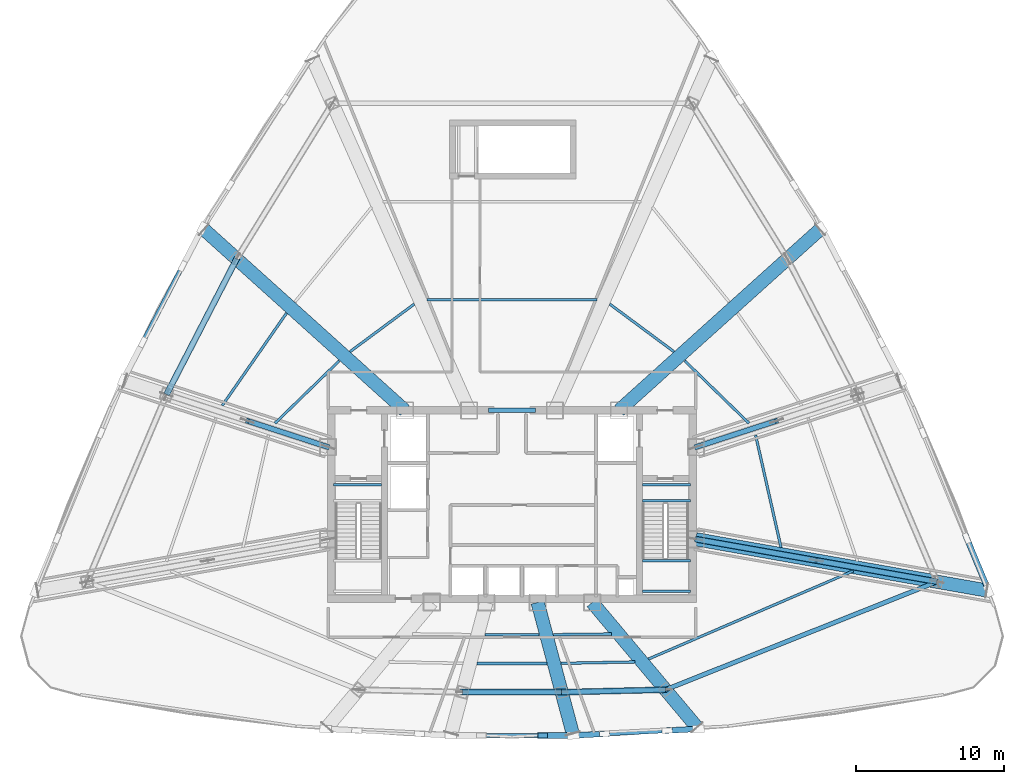
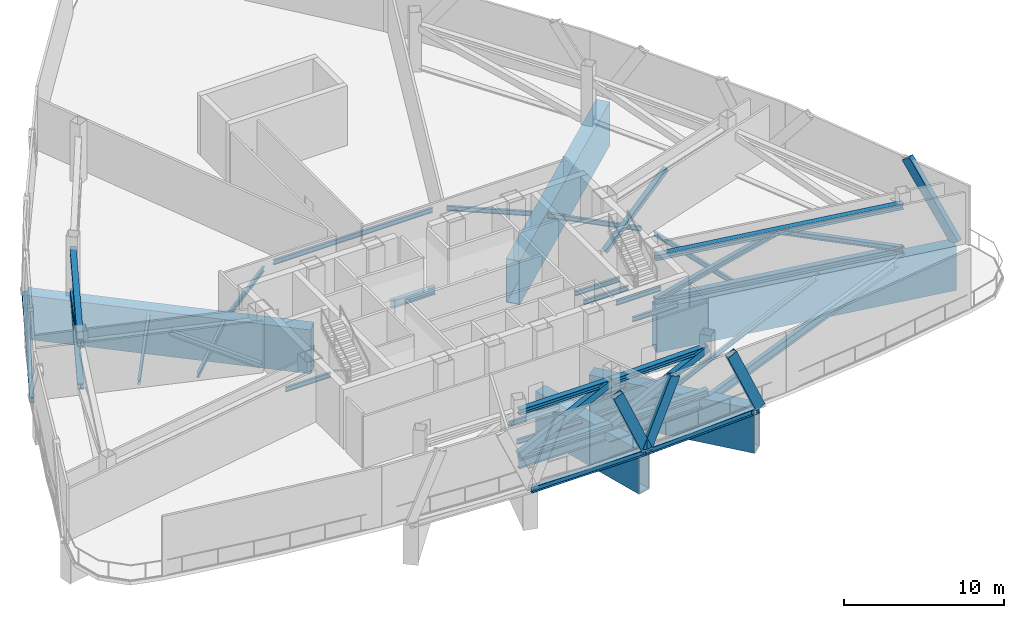
# One storey, part 2 of 13: 29 beams, 19 members.
"""IFC4 building model written with IfcOpenShell, lengths in metres."""

from ifc_helpers import new_model, si_unit, direction, frame, origin, origin_2d, place, context, subcontext, project, spatial, hollow_rectangle, i_section, extrude, source, transform, mapped, material, material_profile, profile_set, type_object, element, save


model = new_model("IFC4")

# Units and contexts
model_context = context("Model", 3, precision=1e-05, world=origin(), true_north=direction((0.0, 1.0)))
body_context = subcontext(model_context, "Body", "Model", "MODEL_VIEW")
ifc_project = project(units=[si_unit("LENGTHUNIT", "METRE"), si_unit("AREAUNIT", "SQUARE_METRE"), si_unit("VOLUMEUNIT", "CUBIC_METRE"), si_unit("PLANEANGLEUNIT", "RADIAN"), si_unit("MASSUNIT", "GRAM", prefix="KILO"), si_unit("THERMODYNAMICTEMPERATUREUNIT", "KELVIN"), si_unit("POWERUNIT", "WATT")], contexts=[model_context])

# Site, building, storey
site_placement = place(None, origin())
site = spatial("IfcSite", under=ifc_project, at=site_placement, CompositionType="ELEMENT")
building_placement = place(site_placement, origin())
building = spatial("IfcBuilding", under=site, at=building_placement, Name="Yunzhuo Pagoda Commons", CompositionType="ELEMENT")
storey_placement = place(building_placement, frame((0.0, 0.0, 272.760009765625)))
storey = spatial("IfcBuildingStorey", under=building, at=storey_placement, Name="L68", CompositionType="ELEMENT", Elevation=272.760009765625)

# Beams
ifc_material_1 = material(Name="Structural steel Q355B", Category="steel")
ifc_material_profile_1 = material_profile(ifc_material_1, i_section(OverallWidth=0.175048828125, OverallDepth=0.35009765625, WebThickness=0.007080078125, FlangeThickness=0.010986328125, at=origin_2d()), Name="Structural steel Q355B")
ifc_profile_set_1 = profile_set([ifc_material_profile_1], Name="Structural steel Q355B")
beam_type_1 = type_object("IfcBeamType", Name="B-JS2 Joist HN 350x175x7x11", PredefinedType="JOIST", material=ifc_profile_set_1)
shared_shape_1 = source(origin(), body_context, "Body", "SweptSolid", [
    extrude(i_section(OverallWidth=0.175048828125, OverallDepth=0.35009765625, WebThickness=0.007080078125, FlangeThickness=0.010986328125, at=origin_2d()), origin(), (0.0, 0.0, 1.0), 3.25),
])
for number, where, z_axis, x_axis, name in (
    (1, (35.949951171875, 35.199951171875, -0.375), (1.0, 0.0, 0.0), (0.0, 1.0, 0.0), "L68 ST1 landing support beam 172B"),
    (2, (56.800048828125, 28.0, 2.02490234375), (1.0, 0.0, 0.0), (0.0, 1.0, 0.0), "L68 ST2 landing support beam 74A"),
    (3, (56.800048828125, 30.06005859375, 2.02490234375), (1.0, 0.0, 0.0), (0.0, 1.0, 0.0), "L68 ST2 landing support beam 74B"),
    (4, (56.800048828125, 34.10009765625, -0.375), (1.0, 0.0, 0.0), (0.0, 1.0, 0.0), "L68 ST2 landing support beam 172A"),
    (5, (56.800048828125, 35.199951171875, -0.375), (1.0, 0.0, 0.0), (0.0, 1.0, 0.0), "L68 ST2 landing support beam 172B"),
):
    element("IfcBeam", number, at=place(storey_placement, frame(where, z_axis=z_axis, x_axis=x_axis)), inside=storey, type_object=beam_type_1, Name=name, PredefinedType="JOIST", context=body_context, shape_type="MappedRepresentation", body=[
        mapped(shared_shape_1, transform((0.0, 0.0, 0.0), scale=1.0)),
    ])
ifc_material_2 = material(Name="Structural steel Q420B", Category="steel")
ifc_material_profile_2 = material_profile(ifc_material_2, i_section(OverallWidth=0.300048828125, OverallDepth=0.587890625, WebThickness=0.011962890625, FlangeThickness=0.02001953125, at=origin_2d()), Name="Structural steel Q420B")
ifc_profile_set_2 = profile_set([ifc_material_profile_2], Name="Structural steel Q420B")
beam_type_2 = type_object("IfcBeamType", Name="B-CPL Beam HM 588x300x12x20", PredefinedType="BEAM", material=ifc_profile_set_2)
shared_shape_2 = source(origin(), body_context, "Body", "SweptSolid", [
    extrude(i_section(OverallWidth=0.300048828125, OverallDepth=0.587890625, WebThickness=0.011962890625, FlangeThickness=0.02001953125, at=origin_2d()), origin(), (0.0, 0.0, 1.0), 3.2001953125),
])
beam_1_placement = place(storey_placement, frame((46.39990234375, 40.199951171875, -0.573974609375), z_axis=(1.0, 0.0, 0.0), x_axis=(0.0, 1.0, 0.0)))
element("IfcBeam", 6, at=beam_1_placement, inside=storey, type_object=beam_type_2, Name="L68 core coupling girder", PredefinedType="BEAM", context=body_context, shape_type="MappedRepresentation", body=[
    mapped(shared_shape_2, transform((0.0, 0.0, 0.0), scale=1.0)),
])
ifc_material_profile_3 = material_profile(ifc_material_2, hollow_rectangle(XDim=0.89990234375, YDim=3.35009765625, WallThickness=0.048095703125, at=origin_2d()), Name="Structural steel Q420B")
ifc_profile_set_3 = profile_set([ifc_material_profile_3], Name="Structural steel Q420B")
beam_type_3 = type_object("IfcBeamType", Name="BTR-2 Beam BOX 3350x900x48", PredefinedType="BEAM", material=ifc_profile_set_3)
shared_shape_3 = source(origin(), body_context, "Body", "SweptSolid", [
    extrude(hollow_rectangle(XDim=0.89990234375, YDim=3.35009765625, WallThickness=0.048095703125, at=origin_2d()), origin(), (0.0, 0.0, 1.0), 10.978515625),
])
beam_2_placement = place(storey_placement, frame((60.468994140625, 18.840087890625, -1.955078125), z_axis=(-0.642794591419, 0.766038584695, 0.0), x_axis=(-0.766038584695, -0.642794591419, 0.0)))
element("IfcBeam", 7, at=beam_2_placement, inside=storey, type_object=beam_type_3, Name="BTR-2 L68 collinear transfer girder F1C4", PredefinedType="BEAM", context=body_context, shape_type="MappedRepresentation", body=[
    mapped(shared_shape_3, transform((0.0, 0.0, 0.0), scale=1.0)),
])
shared_shape_4 = source(origin(), body_context, "Body", "SweptSolid", [
    extrude(hollow_rectangle(XDim=0.89990234375, YDim=3.35009765625, WallThickness=0.048095703125, at=origin_2d()), origin(), (0.0, 0.0, 1.0), 9.136474609375),
])
beam_3_placement = place(storey_placement, frame((52.093017578125, 18.4248046875, -1.955078125), z_axis=(-0.258798416467, 0.965931353479, 0.0), x_axis=(-0.965931353479, -0.258798416467, 0.0)))
element("IfcBeam", 8, at=beam_3_placement, inside=storey, type_object=beam_type_3, Name="BTR-2 L68 collinear transfer girder F1C3", PredefinedType="BEAM", context=body_context, shape_type="MappedRepresentation", body=[
    mapped(shared_shape_4, transform((0.0, 0.0, 0.0), scale=1.0)),
])
shared_shape_5 = source(origin(), body_context, "Body", "SweptSolid", [
    extrude(hollow_rectangle(XDim=0.89990234375, YDim=3.35009765625, WallThickness=0.048095703125, at=origin_2d()), origin(), (0.0, 0.0, 1.0), 19.89990234375),
])
beam_4_placement = place(storey_placement, frame((79.99755859375, 28.058349609375, -1.955078125), z_axis=(-0.984812199238, 0.173622959981, 0.0), x_axis=(-0.173622959981, -0.984812199238, 0.0)))
element("IfcBeam", 9, at=beam_4_placement, inside=storey, type_object=beam_type_3, Name="BTR-2 L68 collinear transfer girder F2C1", PredefinedType="BEAM", context=body_context, shape_type="MappedRepresentation", body=[
    mapped(shared_shape_5, transform((0.0, 0.0, 0.0), scale=1.0)),
])
shared_shape_6 = source(origin(), body_context, "Body", "SweptSolid", [
    extrude(hollow_rectangle(XDim=0.89990234375, YDim=3.35009765625, WallThickness=0.048095703125, at=origin_2d()), origin(), (0.0, 0.0, 1.0), 18.2314453125),
])
for number, where, z_axis, x_axis, name in (
    (10, (68.767578125, 52.399169921875, -1.955078125), (-0.743144309, -0.669131179964, 0.0), (0.669131179964, -0.743144309, 0.0), "BTR-2 L68 collinear transfer girder F2C3"),
    (11, (27.232421875, 52.399169921875, -1.955078125), (0.743144309, -0.669131179964, 0.0), (0.669131179964, 0.743144309, 0.0), "BTR-2 L68 collinear transfer girder F3C2"),
):
    element("IfcBeam", number, at=place(storey_placement, frame(where, z_axis=z_axis, x_axis=x_axis)), inside=storey, type_object=beam_type_3, Name=name, PredefinedType="BEAM", context=body_context, shape_type="MappedRepresentation", body=[
        mapped(shared_shape_6, transform((0.0, 0.0, 0.0), scale=1.0)),
    ])
ifc_material_profile_4 = material_profile(ifc_material_1, i_section(OverallWidth=0.300048828125, OverallDepth=0.43994140625, WebThickness=0.010986328125, FlangeThickness=0.01806640625, at=origin_2d()), Name="Structural steel Q355B")
ifc_profile_set_4 = profile_set([ifc_material_profile_4], Name="Structural steel Q355B")
beam_type_4 = type_object("IfcBeamType", Name="B-SP2 Beam HM 440x300x11x18", PredefinedType="BEAM", material=ifc_profile_set_4)
shared_shape_7 = source(origin(), body_context, "Body", "SweptSolid", [
    extrude(i_section(OverallWidth=0.300048828125, OverallDepth=0.43994140625, WebThickness=0.010986328125, FlangeThickness=0.01806640625, at=origin_2d()), origin(), (0.0, 0.0, 1.0), 8.26611328125),
])
beam_5_placement = place(storey_placement, frame((43.866943359375, 18.275390625, -0.5), z_axis=(1.0, 0.0, 0.0), x_axis=(0.0, 1.0, 0.0)))
element("IfcBeam", 12, at=beam_5_placement, inside=storey, type_object=beam_type_4, Name="L68 facade edge spandrel beam F1.2", PredefinedType="BEAM", context=body_context, shape_type="MappedRepresentation", body=[
    mapped(shared_shape_7, transform((0.0, 0.0, 0.0), scale=1.0)),
])
shared_shape_8 = source(origin(), body_context, "Body", "SweptSolid", [
    extrude(i_section(OverallWidth=0.300048828125, OverallDepth=0.43994140625, WebThickness=0.010986328125, FlangeThickness=0.01806640625, at=origin_2d()), origin(), (0.0, 0.0, 1.0), 8.447509765625),
])
beam_6_placement = place(storey_placement, frame((52.133056640625, 18.275390625, -0.5), z_axis=(0.998606549518, 0.052772713206, 0.0), x_axis=(-0.052772713206, 0.998606549518, 0.0)))
element("IfcBeam", 13, at=beam_6_placement, inside=storey, type_object=beam_type_4, Name="L68 facade edge spandrel beam F1.3", PredefinedType="BEAM", context=body_context, shape_type="MappedRepresentation", body=[
    mapped(shared_shape_8, transform((0.0, 0.0, 0.0), scale=1.0)),
])
shared_shape_9 = source(origin(), body_context, "Body", "SweptSolid", [
    extrude(i_section(OverallWidth=0.300048828125, OverallDepth=0.43994140625, WebThickness=0.010986328125, FlangeThickness=0.01806640625, at=origin_2d()), origin(), (0.0, 0.0, 1.0), 11.591064453125),
])
beam_7_placement = place(storey_placement, frame((27.117431640625, 52.5029296875, -0.5), z_axis=(-0.462915805382, -0.886402254695, 0.0), x_axis=(0.886402254695, -0.462915805382, 0.0)))
element("IfcBeam", 14, at=beam_7_placement, inside=storey, type_object=beam_type_4, Name="L68 facade edge spandrel beam F3.2", PredefinedType="BEAM", context=body_context, shape_type="MappedRepresentation", body=[
    mapped(shared_shape_9, transform((0.0, 0.0, 0.0), scale=1.0)),
])
shared_shape_10 = source(origin(), body_context, "Body", "SweptSolid", [
    extrude(i_section(OverallWidth=0.175048828125, OverallDepth=0.35009765625, WebThickness=0.007080078125, FlangeThickness=0.010986328125, at=origin_2d()), origin(), (0.0, 0.0, 1.0), 3.925048828125),
])
beam_8_placement = place(storey_placement, frame((50.789306640625, 25.076171875, -0.455078125), z_axis=(0.999924924618, 0.012253372117, 0.0), x_axis=(-0.012253372117, 0.999924924618, 0.0)))
element("IfcBeam", 15, at=beam_8_placement, inside=storey, type_object=beam_type_1, Name="L68 composite ring joist 1.3", PredefinedType="JOIST", context=body_context, shape_type="MappedRepresentation", body=[
    mapped(shared_shape_10, transform((0.0, 0.0, 0.0), scale=1.0)),
])
shared_shape_11 = source(origin(), body_context, "Body", "SweptSolid", [
    extrude(i_section(OverallWidth=0.175048828125, OverallDepth=0.35009765625, WebThickness=0.007080078125, FlangeThickness=0.010986328125, at=origin_2d()), origin(), (0.0, 0.0, 1.0), 4.98779296875),
])
beam_9_placement = place(storey_placement, frame((51.308349609375, 23.14208984375, -0.455078125), z_axis=(0.999819636235, 0.018991971941, 0.0), x_axis=(-0.018991971941, 0.999819636235, 0.0)))
element("IfcBeam", 16, at=beam_9_placement, inside=storey, type_object=beam_type_1, Name="L68 composite ring joist 2.3", PredefinedType="JOIST", context=body_context, shape_type="MappedRepresentation", body=[
    mapped(shared_shape_11, transform((0.0, 0.0, 0.0), scale=1.0)),
])
ifc_material_profile_5 = material_profile(ifc_material_1, i_section(OverallWidth=0.300048828125, OverallDepth=0.64990234375, WebThickness=0.012939453125, FlangeThickness=0.02197265625, at=origin_2d()), Name="Structural steel Q355B")
ifc_profile_set_5 = profile_set([ifc_material_profile_5], Name="Structural steel Q355B")
beam_type_5 = type_object("IfcBeamType", Name="B-RG2 Beam HN 650x300x13x22", PredefinedType="BEAM", material=ifc_profile_set_5)
shared_shape_12 = source(origin(), body_context, "Body", "SweptSolid", [
    extrude(i_section(OverallWidth=0.300048828125, OverallDepth=0.64990234375, WebThickness=0.012939453125, FlangeThickness=0.02197265625, at=origin_2d()), origin(), (0.0, 0.0, 1.0), 6.701171875),
])
beam_10_placement = place(storey_placement, frame((44.6494140625, 21.195556640625, -0.60498046875), z_axis=(1.0, 0.0, 0.0), x_axis=(0.0, 1.0, 0.0)))
element("IfcBeam", 17, at=beam_10_placement, inside=storey, type_object=beam_type_5, Name="L68 column-ring beam 2", PredefinedType="BEAM", context=body_context, shape_type="MappedRepresentation", body=[
    mapped(shared_shape_12, transform((0.0, 0.0, 0.0), scale=1.0)),
])
shared_shape_13 = source(origin(), body_context, "Body", "SweptSolid", [
    extrude(i_section(OverallWidth=0.175048828125, OverallDepth=0.35009765625, WebThickness=0.007080078125, FlangeThickness=0.010986328125, at=origin_2d()), origin(), (0.0, 0.0, 1.0), 3.67041015625),
])
beam_11_placement = place(storey_placement, frame((46.164794921875, 25.070556640625, -0.455078125), z_axis=(1.0, 0.0, 0.0), x_axis=(0.0, 1.0, 0.0)))
element("IfcBeam", 18, at=beam_11_placement, inside=storey, type_object=beam_type_1, Name="L68 composite ring joist 1.2", PredefinedType="JOIST", context=body_context, shape_type="MappedRepresentation", body=[
    mapped(shared_shape_13, transform((0.0, 0.0, 0.0), scale=1.0)),
])
shared_shape_14 = source(origin(), body_context, "Body", "SweptSolid", [
    extrude(i_section(OverallWidth=0.175048828125, OverallDepth=0.35009765625, WebThickness=0.007080078125, FlangeThickness=0.010986328125, at=origin_2d()), origin(), (0.0, 0.0, 1.0), 4.708984375),
])
beam_12_placement = place(storey_placement, frame((45.6455078125, 23.133056640625, -0.455078125), z_axis=(1.0, 0.0, 0.0), x_axis=(0.0, 1.0, 0.0)))
element("IfcBeam", 19, at=beam_12_placement, inside=storey, type_object=beam_type_1, Name="L68 composite ring joist 2.2", PredefinedType="JOIST", context=body_context, shape_type="MappedRepresentation", body=[
    mapped(shared_shape_14, transform((0.0, 0.0, 0.0), scale=1.0)),
])
shared_shape_15 = source(origin(), body_context, "Body", "SweptSolid", [
    extrude(i_section(OverallWidth=0.300048828125, OverallDepth=0.64990234375, WebThickness=0.012939453125, FlangeThickness=0.02197265625, at=origin_2d()), origin(), (0.0, 0.0, 1.0), 7.0048828125),
])
beam_13_placement = place(storey_placement, frame((51.3505859375, 21.195556640625, -0.60498046875), z_axis=(0.99971911704, 0.023699937233, 0.0), x_axis=(-0.023699937233, 0.99971911704, 0.0)))
element("IfcBeam", 20, at=beam_13_placement, inside=storey, type_object=beam_type_5, Name="L68 column-ring beam 3", PredefinedType="BEAM", context=body_context, shape_type="MappedRepresentation", body=[
    mapped(shared_shape_15, transform((0.0, 0.0, 0.0), scale=1.0)),
])
shared_shape_16 = source(origin(), body_context, "Body", "SweptSolid", [
    extrude(i_section(OverallWidth=0.300048828125, OverallDepth=0.64990234375, WebThickness=0.012939453125, FlangeThickness=0.02197265625, at=origin_2d()), origin(), (0.0, 0.0, 1.0), 19.7041015625),
])
beam_14_placement = place(storey_placement, frame((58.353515625, 21.361572265625, -0.60498046875), z_axis=(0.929150216007, 0.369702415592, 0.0), x_axis=(-0.369702415592, 0.929150216007, 0.0)))
element("IfcBeam", 21, at=beam_14_placement, inside=storey, type_object=beam_type_5, Name="L68 column-ring beam 4", PredefinedType="BEAM", context=body_context, shape_type="MappedRepresentation", body=[
    mapped(shared_shape_16, transform((0.0, 0.0, 0.0), scale=1.0)),
])
shared_shape_17 = source(origin(), body_context, "Body", "SweptSolid", [
    extrude(i_section(OverallWidth=0.175048828125, OverallDepth=0.35009765625, WebThickness=0.007080078125, FlangeThickness=0.010986328125, at=origin_2d()), origin(), (0.0, 0.0, 1.0), 15.033203125),
])
beam_15_placement = place(storey_placement, frame((57.210205078125, 23.434326171875, -0.455078125), z_axis=(0.918601516646, 0.395185087795, 0.0), x_axis=(-0.395185087795, 0.918601516646, 0.0)))
element("IfcBeam", 22, at=beam_15_placement, inside=storey, type_object=beam_type_1, Name="L68 composite ring joist 2.4", PredefinedType="JOIST", context=body_context, shape_type="MappedRepresentation", body=[
    mapped(shared_shape_17, transform((0.0, 0.0, 0.0), scale=1.0)),
])
shared_shape_18 = source(origin(), body_context, "Body", "SweptSolid", [
    extrude(i_section(OverallWidth=0.175048828125, OverallDepth=0.35009765625, WebThickness=0.007080078125, FlangeThickness=0.010986328125, at=origin_2d()), origin(), (0.0, 0.0, 1.0), 7.784912109375),
])
beam_16_placement = place(storey_placement, frame((66.14892578125, 30.946533203125, -0.455078125), z_axis=(-0.220780623528, 0.975323493142, 0.0), x_axis=(-0.975323493142, -0.220780623528, 0.0)))
element("IfcBeam", 23, at=beam_16_placement, inside=storey, type_object=beam_type_1, Name="L68 composite ring joist 1.5", PredefinedType="JOIST", context=body_context, shape_type="MappedRepresentation", body=[
    mapped(shared_shape_18, transform((0.0, 0.0, 0.0), scale=1.0)),
])
shared_shape_19 = source(origin(), body_context, "Body", "SweptSolid", [
    extrude(i_section(OverallWidth=0.175048828125, OverallDepth=0.35009765625, WebThickness=0.007080078125, FlangeThickness=0.010986328125, at=origin_2d()), origin(), (0.0, 0.0, 1.0), 6.043212890625),
])
for number, where, z_axis, x_axis, name in (
    (24, (63.98291015625, 39.336669921875, -0.455078125), (-0.717193997445, 0.696873568181, 0.0), (-0.696873568181, -0.717193997445, 0.0), "L68 composite ring joist 1.6"),
    (25, (36.351318359375, 43.548095703125, -0.455078125), (-0.717193997445, -0.696873568181, 0.0), (0.696873568181, -0.717193997445, 0.0), "L68 composite ring joist 1.10"),
):
    element("IfcBeam", number, at=place(storey_placement, frame(where, z_axis=z_axis, x_axis=x_axis)), inside=storey, type_object=beam_type_1, Name=name, PredefinedType="JOIST", context=body_context, shape_type="MappedRepresentation", body=[
        mapped(shared_shape_19, transform((0.0, 0.0, 0.0), scale=1.0)),
    ])
shared_shape_20 = source(origin(), body_context, "Body", "SweptSolid", [
    extrude(i_section(OverallWidth=0.175048828125, OverallDepth=0.35009765625, WebThickness=0.007080078125, FlangeThickness=0.010986328125, at=origin_2d()), origin(), (0.0, 0.0, 1.0), 7.587158203125),
])
beam_17_placement = place(storey_placement, frame((32.787841796875, 46.76025390625, -0.455078125), z_axis=(-0.570614687592, -0.82121792376, 0.0), x_axis=(0.82121792376, -0.570614687592, 0.0)))
element("IfcBeam", 26, at=beam_17_placement, inside=storey, type_object=beam_type_1, Name="L68 composite ring joist 2.10", PredefinedType="JOIST", context=body_context, shape_type="MappedRepresentation", body=[
    mapped(shared_shape_20, transform((0.0, 0.0, 0.0), scale=1.0)),
])
shared_shape_21 = source(origin(), body_context, "Body", "SweptSolid", [
    extrude(i_section(OverallWidth=0.175048828125, OverallDepth=0.35009765625, WebThickness=0.007080078125, FlangeThickness=0.010986328125, at=origin_2d()), origin(), (0.0, 0.0, 1.0), 5.385498046875),
])
beam_18_placement = place(storey_placement, frame((58.92333984375, 44.16455078125, -0.455078125), z_axis=(-0.803392534128, 0.59544977631, 0.0), x_axis=(-0.59544977631, -0.803392534128, 0.0)))
element("IfcBeam", 27, at=beam_18_placement, inside=storey, type_object=beam_type_1, Name="L68 composite ring joist 1.7", PredefinedType="JOIST", context=body_context, shape_type="MappedRepresentation", body=[
    mapped(shared_shape_21, transform((0.0, 0.0, 0.0), scale=1.0)),
])
shared_shape_22 = source(origin(), body_context, "Body", "SweptSolid", [
    extrude(i_section(OverallWidth=0.175048828125, OverallDepth=0.35009765625, WebThickness=0.007080078125, FlangeThickness=0.010986328125, at=origin_2d()), origin(), (0.0, 0.0, 1.0), 11.47265625),
])
beam_19_placement = place(storey_placement, frame((53.736328125, 47.6552734375, -0.455078125), z_axis=(-1.0, 0.0, 0.0), x_axis=(0.0, -1.0, 0.0)))
element("IfcBeam", 28, at=beam_19_placement, inside=storey, type_object=beam_type_1, Name="L68 composite ring joist 1.8", PredefinedType="JOIST", context=body_context, shape_type="MappedRepresentation", body=[
    mapped(shared_shape_22, transform((0.0, 0.0, 0.0), scale=1.0)),
])
shared_shape_23 = source(origin(), body_context, "Body", "SweptSolid", [
    extrude(i_section(OverallWidth=0.175048828125, OverallDepth=0.35009765625, WebThickness=0.007080078125, FlangeThickness=0.010986328125, at=origin_2d()), origin(), (0.0, 0.0, 1.0), 5.385986328125),
])
beam_20_placement = place(storey_placement, frame((41.40380859375, 47.371337890625, -0.455078125), z_axis=(-0.803424677237, -0.595406405749, 0.0), x_axis=(0.595406405749, -0.803424677237, 0.0)))
element("IfcBeam", 29, at=beam_20_placement, inside=storey, type_object=beam_type_1, Name="L68 composite ring joist 1.9", PredefinedType="JOIST", context=body_context, shape_type="MappedRepresentation", body=[
    mapped(shared_shape_23, transform((0.0, 0.0, 0.0), scale=1.0)),
])

# Members
ifc_material_profile_6 = material_profile(ifc_material_2, i_section(OverallWidth=0.406982421875, OverallDepth=0.427978515625, WebThickness=0.02001953125, FlangeThickness=0.034912109375, at=origin_2d()), Name="Structural steel Q420B")
ifc_profile_set_6 = profile_set([ifc_material_profile_6], Name="Structural steel Q420B")
member_type_1 = type_object("IfcMemberType", Name="M-OTC Chord HW 428x407x20x35", PredefinedType="CHORD", material=ifc_profile_set_6)
shared_shape_24 = source(origin(), body_context, "Body", "SweptSolid", [
    extrude(i_section(OverallWidth=0.406982421875, OverallDepth=0.427978515625, WebThickness=0.02001953125, FlangeThickness=0.034912109375, at=origin_2d()), origin(), (0.0, 0.0, 1.0), 16.512451171875),
])
for number, where, z_axis, x_axis, name in (
    (30, (60.39990234375, 31.513427734375, 0.070068359375), (0.984809744149, -0.173636884988, 0.0), (0.173636884988, 0.984809744149, 0.0), "L68 outrigger bottom chord F2C1"),
    (31, (60.39990234375, 31.513427734375, 3.389892578125), (0.984809744149, -0.173636884988, 0.0), (0.173636884988, 0.984809744149, 0.0), "L68 outrigger top chord F2C1"),
):
    element("IfcMember", number, at=place(storey_placement, frame(where, z_axis=z_axis, x_axis=x_axis)), inside=storey, type_object=member_type_1, Name=name, PredefinedType="CHORD", context=body_context, shape_type="MappedRepresentation", body=[
        mapped(shared_shape_24, transform((0.0, 0.0, 0.0), scale=1.0)),
    ])
ifc_material_profile_7 = material_profile(ifc_material_2, i_section(OverallWidth=0.35009765625, OverallDepth=0.35009765625, WebThickness=0.011962890625, FlangeThickness=0.01904296875, at=origin_2d()), Name="Structural steel Q420B")
ifc_profile_set_7 = profile_set([ifc_material_profile_7], Name="Structural steel Q420B")
member_type_2 = type_object("IfcMemberType", Name="M-OTB Brace HW 350x350x12x19", PredefinedType="BRACE", material=ifc_profile_set_7)
shared_shape_25 = source(origin(), body_context, "Body", "SweptSolid", [
    extrude(i_section(OverallWidth=0.35009765625, OverallDepth=0.35009765625, WebThickness=0.011962890625, FlangeThickness=0.01904296875, at=origin_2d()), origin(), (0.0, 0.0, 1.0), 8.89892578125),
])
member_1_placement = place(storey_placement, frame((60.39990234375, 31.513427734375, 0.070068359375), z_axis=(0.913715181546, -0.16109699883, 0.37305807052), x_axis=(0.17363182863, 0.984810635649, 0.0)))
element("IfcMember", 32, at=member_1_placement, inside=storey, type_object=member_type_2, Name="L68 outrigger diagonal brace F2C1A", PredefinedType="BRACE", context=body_context, shape_type="MappedRepresentation", body=[
    mapped(shared_shape_25, transform((0.0, 0.0, 0.0), scale=1.0)),
])
shared_shape_26 = source(origin(), body_context, "Body", "SweptSolid", [
    extrude(i_section(OverallWidth=0.35009765625, OverallDepth=0.35009765625, WebThickness=0.011962890625, FlangeThickness=0.01904296875, at=origin_2d()), origin(), (0.0, 0.0, 1.0), 8.8984375),
])
member_2_placement = place(storey_placement, frame((68.531005859375, 30.079833984375, 3.389892578125), z_axis=(0.913706120554, -0.161105075816, -0.373076774684), x_axis=(0.173641941636, 0.984808852572, 0.0)))
element("IfcMember", 33, at=member_2_placement, inside=storey, type_object=member_type_2, Name="L68 outrigger diagonal brace F2C1B", PredefinedType="BRACE", context=body_context, shape_type="MappedRepresentation", body=[
    mapped(shared_shape_26, transform((0.0, 0.0, 0.0), scale=1.0)),
])
shared_shape_27 = source(origin(), body_context, "Body", "SweptSolid", [
    extrude(i_section(OverallWidth=0.35009765625, OverallDepth=0.35009765625, WebThickness=0.011962890625, FlangeThickness=0.01904296875, at=origin_2d()), origin(), (0.0, 0.0, 1.0), 6.6240234375),
])
for number, where, z_axis, x_axis, name in (
    (34, (60.39990234375, 37.72900390625, 0.070068359375), (0.822988048496, 0.267400165338, 0.501186416026), (-0.30901191294, 0.951058167338, 0.0), "L68 outrigger diagonal brace F2C2A"),
    (35, (35.60009765625, 37.72900390625, 0.070068359375), (-0.822988048496, 0.267400165338, 0.501186416026), (-0.30901191294, -0.951058167338, 0.0), "L68 outrigger diagonal brace F3C3A"),
):
    element("IfcMember", number, at=place(storey_placement, frame(where, z_axis=z_axis, x_axis=x_axis)), inside=storey, type_object=member_type_2, Name=name, PredefinedType="BRACE", context=body_context, shape_type="MappedRepresentation", body=[
        mapped(shared_shape_27, transform((0.0, 0.0, 0.0), scale=1.0)),
    ])
ifc_material_profile_8 = material_profile(ifc_material_2, i_section(OverallWidth=0.39990234375, OverallDepth=0.39990234375, WebThickness=0.012939453125, FlangeThickness=0.02099609375, at=origin_2d()), Name="Structural steel Q420B")
ifc_profile_set_8 = profile_set([ifc_material_profile_8], Name="Structural steel Q420B")
member_type_3 = type_object("IfcMemberType", Name="M-BTC Chord HW 400x400x13x21", PredefinedType="CHORD", material=ifc_profile_set_8)
shared_shape_28 = source(origin(), body_context, "Body", "SweptSolid", [
    extrude(i_section(OverallWidth=0.39990234375, OverallDepth=0.39990234375, WebThickness=0.012939453125, FlangeThickness=0.02099609375, at=origin_2d()), origin(), (0.0, 0.0, 1.0), 6.701171875),
])
for number, where, z_axis, x_axis, name in (
    (36, (44.6494140625, 21.195556640625, 0.070068359375), (1.0, 0.0, 0.0), (0.0, 1.0, 0.0), "L68 belt truss bottom chord 2"),
    (37, (44.6494140625, 21.195556640625, 3.389892578125), (1.0, 0.0, 0.0), (0.0, 1.0, 0.0), "L68 belt truss top chord 2"),
):
    element("IfcMember", number, at=place(storey_placement, frame(where, z_axis=z_axis, x_axis=x_axis)), inside=storey, type_object=member_type_3, Name=name, PredefinedType="CHORD", context=body_context, shape_type="MappedRepresentation", body=[
        mapped(shared_shape_28, transform((0.0, 0.0, 0.0), scale=1.0)),
    ])
ifc_material_profile_9 = material_profile(ifc_material_2, hollow_rectangle(XDim=0.39990234375, YDim=0.5, WallThickness=0.02392578125, at=origin_2d()), Name="Structural steel Q420B")
ifc_profile_set_9 = profile_set([ifc_material_profile_9], Name="Structural steel Q420B")
member_type_4 = type_object("IfcMemberType", Name="M-BTB Brace RHS 500x400x24", PredefinedType="BRACE", material=ifc_profile_set_9)
shared_shape_29 = source(origin(), body_context, "Body", "SweptSolid", [
    extrude(hollow_rectangle(XDim=0.39990234375, YDim=0.5, WallThickness=0.02392578125, at=origin_2d()), origin(), (0.0, 0.0, 1.0), 7.478515625),
])
member_3_placement = place(storey_placement, frame((44.6494140625, 21.195556640625, 0.070068359375), z_axis=(0.896066494221, 0.0, 0.443919855305), x_axis=(0.0, 1.0, 0.0)))
element("IfcMember", 38, at=member_3_placement, inside=storey, type_object=member_type_4, Name="L68 belt truss diagonal brace 2A", PredefinedType="BRACE", context=body_context, shape_type="MappedRepresentation", body=[
    mapped(shared_shape_29, transform((0.0, 0.0, 0.0), scale=1.0)),
])
shared_shape_30 = source(origin(), body_context, "Body", "SweptSolid", [
    extrude(i_section(OverallWidth=0.39990234375, OverallDepth=0.39990234375, WebThickness=0.012939453125, FlangeThickness=0.02099609375, at=origin_2d()), origin(), (0.0, 0.0, 1.0), 7.0048828125),
])
for number, where, z_axis, x_axis, name in (
    (39, (51.3505859375, 21.195556640625, 0.070068359375), (0.99971911704, 0.023699937233, 0.0), (-0.023699937233, 0.99971911704, 0.0), "L68 belt truss bottom chord 3"),
    (40, (51.3505859375, 21.195556640625, 3.389892578125), (0.99971911704, 0.023699937233, 0.0), (-0.023699937233, 0.99971911704, 0.0), "L68 belt truss top chord 3"),
):
    element("IfcMember", number, at=place(storey_placement, frame(where, z_axis=z_axis, x_axis=x_axis)), inside=storey, type_object=member_type_3, Name=name, PredefinedType="CHORD", context=body_context, shape_type="MappedRepresentation", body=[
        mapped(shared_shape_30, transform((0.0, 0.0, 0.0), scale=1.0)),
    ])
shared_shape_31 = source(origin(), body_context, "Body", "SweptSolid", [
    extrude(hollow_rectangle(XDim=0.39990234375, YDim=0.5, WallThickness=0.02392578125, at=origin_2d()), origin(), (0.0, 0.0, 1.0), 7.751708984375),
])
member_4_placement = place(storey_placement, frame((51.3505859375, 21.195556640625, 0.070068359375), z_axis=(0.903398407559, 0.021416501086, 0.428267032003), x_axis=(-0.023699937233, 0.99971911704, 0.0)))
element("IfcMember", 41, at=member_4_placement, inside=storey, type_object=member_type_4, Name="L68 belt truss diagonal brace 3A", PredefinedType="BRACE", context=body_context, shape_type="MappedRepresentation", body=[
    mapped(shared_shape_31, transform((0.0, 0.0, 0.0), scale=1.0)),
])
shared_shape_32 = source(origin(), body_context, "Body", "SweptSolid", [
    extrude(i_section(OverallWidth=0.39990234375, OverallDepth=0.39990234375, WebThickness=0.012939453125, FlangeThickness=0.02099609375, at=origin_2d()), origin(), (0.0, 0.0, 1.0), 10.3017578125),
])
for number, where, z_axis, x_axis, name in (
    (42, (29.4267578125, 50.423583984375, 0.070068359375), (-0.459070867827, -0.888399650108, 0.0), (0.888399650108, -0.459070867827, 0.0), "L68 belt truss bottom chord 10"),
    (43, (29.4267578125, 50.423583984375, 3.389892578125), (-0.459070867827, -0.888399650108, 0.0), (0.888399650108, -0.459070867827, 0.0), "L68 belt truss top chord 10"),
):
    element("IfcMember", number, at=place(storey_placement, frame(where, z_axis=z_axis, x_axis=x_axis)), inside=storey, type_object=member_type_3, Name=name, PredefinedType="CHORD", context=body_context, shape_type="MappedRepresentation", body=[
        mapped(shared_shape_32, transform((0.0, 0.0, 0.0), scale=1.0)),
    ])
shared_shape_33 = source(origin(), body_context, "Body", "SweptSolid", [
    extrude(hollow_rectangle(XDim=0.39990234375, YDim=0.5, WallThickness=0.02392578125, at=origin_2d()), origin(), (0.0, 0.0, 1.0), 10.823486328125),
])
member_5_placement = place(storey_placement, frame((29.4267578125, 50.423583984375, 0.070068359375), z_axis=(-0.436942965395, -0.84557745825, 0.306723991711), x_axis=(0.888399650108, -0.459070867827, 0.0)))
element("IfcMember", 44, at=member_5_placement, inside=storey, type_object=member_type_4, Name="L68 belt truss diagonal brace 10A", PredefinedType="BRACE", context=body_context, shape_type="MappedRepresentation", body=[
    mapped(shared_shape_33, transform((0.0, 0.0, 0.0), scale=1.0)),
])
ifc_material_profile_10 = material_profile(ifc_material_1, hollow_rectangle(XDim=0.3798828125, YDim=0.719970703125, WallThickness=0.02001953125, at=origin_2d()), Name="Structural steel Q355B")
ifc_profile_set_10 = profile_set([ifc_material_profile_10], Name="Structural steel Q355B")
member_type_5 = type_object("IfcMemberType", Name="M-DL3 Brace BOX 720x380x20", PredefinedType="BRACE", material=ifc_profile_set_10)
shared_shape_34 = source(origin(), body_context, "Body", "SweptSolid", [
    extrude(hollow_rectangle(XDim=0.3798828125, YDim=0.719970703125, WallThickness=0.02001953125, at=origin_2d()), origin(), (0.0, 0.0, 1.0), 5.26220703125),
])
for number, where, z_axis, x_axis, name in (
    (45, (52.133056640625, 18.275390625, -0.27978515625), (0.400763196722, 0.021156288227, 0.915937373198), (-0.052716593913, 0.998609513637, 0.0), "L68 facade diamond brace F1.3L"),
    (46, (60.56884765625, 18.72119140625, -0.27978515625), (-0.400801745567, -0.021202268518, 0.915919442178), (0.052825779707, -0.998603743733, 0.0), "L68 facade diamond brace F1.3R"),
):
    element("IfcMember", number, at=place(storey_placement, frame(where, z_axis=z_axis, x_axis=x_axis)), inside=storey, type_object=member_type_5, Name=name, PredefinedType="BRACE", context=body_context, shape_type="MappedRepresentation", body=[
        mapped(shared_shape_34, transform((0.0, 0.0, 0.0), scale=1.0)),
    ])
shared_shape_35 = source(origin(), body_context, "Body", "SweptSolid", [
    extrude(hollow_rectangle(XDim=0.3798828125, YDim=0.719970703125, WallThickness=0.02001953125, at=origin_2d()), origin(), (0.0, 0.0, 1.0), 5.244140625),
])
member_6_placement = place(storey_placement, frame((52.133056640625, 18.275390625, -0.27978515625), z_axis=(-0.394082232474, 0.0, 0.919075184111), x_axis=(0.0, -1.0, 0.0)))
element("IfcMember", 47, at=member_6_placement, inside=storey, type_object=member_type_5, Name="L68 facade diamond brace F1.2R", PredefinedType="BRACE", context=body_context, shape_type="MappedRepresentation", body=[
    mapped(shared_shape_35, transform((0.0, 0.0, 0.0), scale=1.0)),
])
shared_shape_36 = source(origin(), body_context, "Body", "SweptSolid", [
    extrude(hollow_rectangle(XDim=0.3798828125, YDim=0.719970703125, WallThickness=0.02001953125, at=origin_2d()), origin(), (0.0, 0.0, 1.0), 6.1650390625),
])
member_7_placement = place(storey_placement, frame((80.150390625, 28.031005859375, -0.27978515625), z_axis=(-0.239348219778, 0.575758399629, 0.781802209607), x_axis=(-0.923390414159, -0.383862140668, 0.0)))
element("IfcMember", 48, at=member_7_placement, inside=storey, type_object=member_type_5, Name="L68 facade diamond brace F2.1L", PredefinedType="BRACE", context=body_context, shape_type="MappedRepresentation", body=[
    mapped(shared_shape_36, transform((0.0, 0.0, 0.0), scale=1.0)),
])

save(model, "model.ifc")
